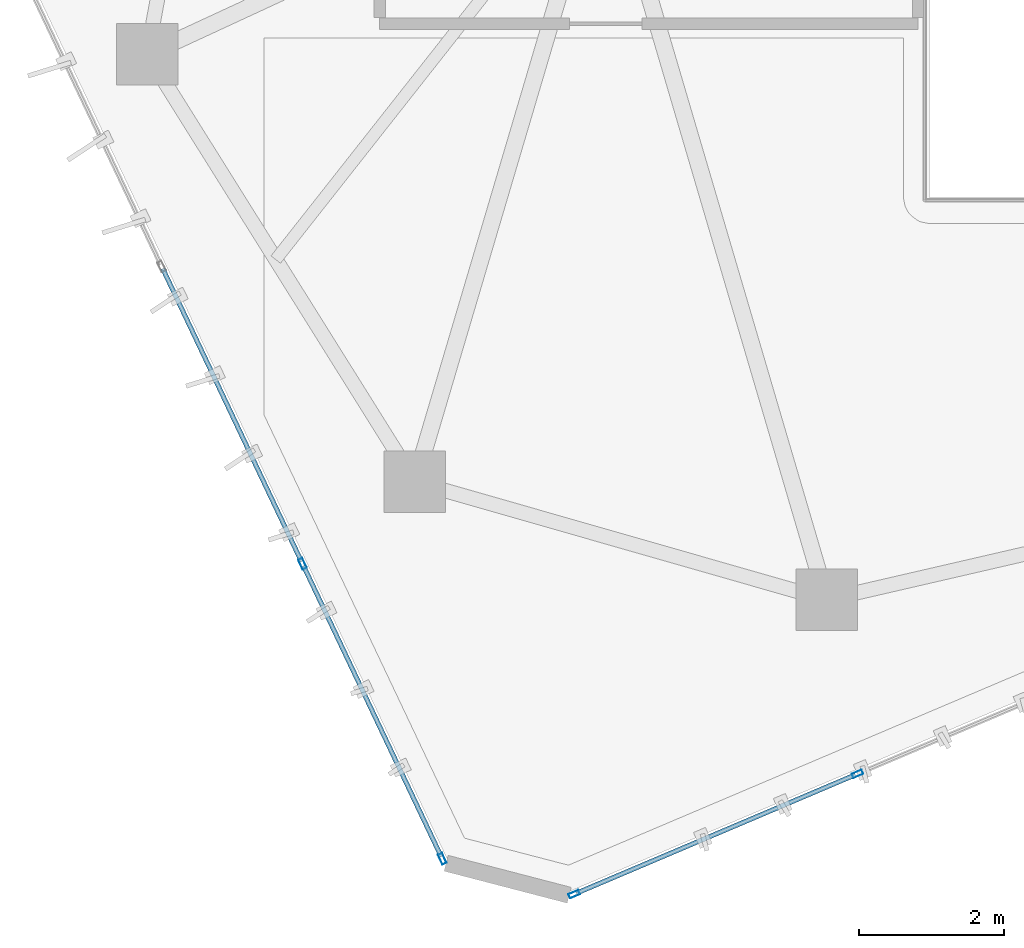
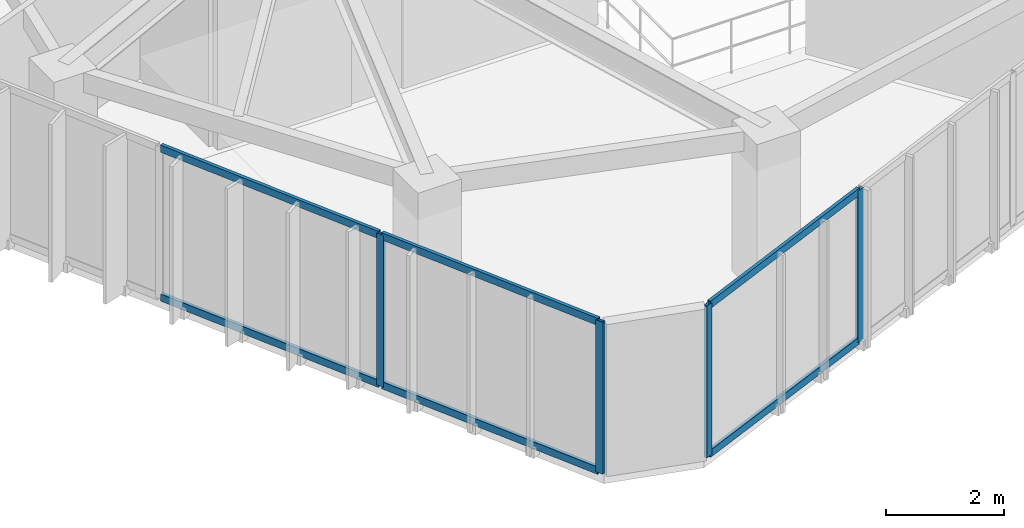
# One storey, part 2 of 20: 10 members, 2 elements without a shape of their own.
"""IFC4 building model written with IfcOpenShell, lengths in metres."""

from ifc_helpers import new_model, si_unit, direction, frame, origin, origin_2d, place, context, subcontext, project, spatial, hollow_rectangle, extrude, source, transform, mapped, material, layer, layer_set, material_profile, profile_set, type_object, type_shapes, element, aggregate, save


model = new_model("IFC4")

# Units and contexts
model_context = context("Model", 3, precision=1e-05, world=origin(), true_north=direction((0.0, 1.0)))
body_context = subcontext(model_context, "Body", "Model", "MODEL_VIEW")
ifc_project = project(units=[si_unit("LENGTHUNIT", "METRE"), si_unit("AREAUNIT", "SQUARE_METRE"), si_unit("VOLUMEUNIT", "CUBIC_METRE"), si_unit("PLANEANGLEUNIT", "RADIAN"), si_unit("MASSUNIT", "GRAM", prefix="KILO")], contexts=[model_context])

# Site, building, storey
site_placement = place(None, origin())
site = spatial("IfcSite", under=ifc_project, at=site_placement, CompositionType="ELEMENT")
building_placement = place(site_placement, origin())
building = spatial("IfcBuilding", under=site, at=building_placement, Name="Talar Marvaseh", CompositionType="ELEMENT")
storey_placement = place(building_placement, frame((0.0, 0.0, 274.800048828125)))
storey = spatial("IfcBuildingStorey", under=building, at=storey_placement, Name="L73", CompositionType="ELEMENT", Elevation=274.800048828125)

# Curtain wall, members
ifc_material = material(Name="Architectural Aluminium", Category="aluminium")
ifc_layer = layer(ifc_material, 0.179931640625)
ifc_layer_set = layer_set([ifc_layer], Name="Architectural Aluminium")
curtain_wall_type = type_object("IfcCurtainWallType", Name="Unitised High-Wind Sky Curtain Wall Z4", PredefinedType="NOTDEFINED", material=ifc_layer_set)
curtain_wall_1_placement = place(storey_placement, origin())
curtain_wall_1 = element("IfcCurtainWall", 1, at=curtain_wall_1_placement, inside=storey, type_object=curtain_wall_type, Name="L73 Unitised High-Wind Sky Curtain Wall Z4", PredefinedType="NOTDEFINED")
ifc_material_profile_1 = material_profile(ifc_material, hollow_rectangle(XDim=0.06494140625, YDim=0.14990234375, WallThickness=0.00390625, at=origin_2d()), Name="RHS150x65x4")
ifc_profile_set_1 = profile_set([ifc_material_profile_1], Name="Architectural Aluminium")
member_type_1 = type_object("IfcMemberType", Name="Unitised Curtain Wall Slim Mullion RHS150x65x4", PredefinedType="MULLION", material=ifc_profile_set_1)
shared_shape_1 = source(origin(), body_context, "Body", "SweptSolid", [
    extrude(hollow_rectangle(XDim=0.06494140625, YDim=0.14990234375, WallThickness=0.00390625, at=origin_2d()), origin(), (0.0, 0.0, 1.0), 3.139892578125),
])
type_shapes(member_type_1, [shared_shape_1])
member_1_placement = place(storey_placement, frame((16.465087890625, 11.45947265625, 0.0), z_axis=(0.0, 0.0, 1.0), x_axis=(-0.903735897478, -0.42809044326, 0.0)))
member_1 = element("IfcMember", 2, at=member_1_placement, type_object=member_type_1, Name="CW-Z4 mullion 1", PredefinedType="MULLION", context=body_context, shape_type="MappedRepresentation", body=[
    mapped(shared_shape_1, transform((0.0, 0.0, 0.0), x_axis=(1.0, 0.0, 0.0), y_axis=(0.0, 1.0, 0.0), z_axis=(0.0, 0.0, 1.0), scale=1.0)),
])
member_2_placement = place(storey_placement, frame((14.533447265625, 15.537353515625, 0.0), z_axis=(0.0, 0.0, 1.0), x_axis=(-0.903735897478, -0.42809044326, 0.0)))
member_2 = element("IfcMember", 3, at=member_2_placement, type_object=member_type_1, Name="CW-Z4 mullion 2", PredefinedType="MULLION", context=body_context, shape_type="MappedRepresentation", body=[
    mapped(shared_shape_1, transform((0.0, 0.0, 0.0), x_axis=(1.0, 0.0, 0.0), y_axis=(0.0, 1.0, 0.0), z_axis=(0.0, 0.0, 1.0), scale=1.0)),
])

curtain_wall_2_placement = place(storey_placement, origin())
curtain_wall_2 = element("IfcCurtainWall", 4, at=curtain_wall_2_placement, inside=storey, type_object=curtain_wall_type, Name="L73 Unitised High-Wind Sky Curtain Wall Z4", PredefinedType="NOTDEFINED")
member_3_placement = place(storey_placement, frame((22.203369140625, 12.633544921875, 0.0), z_axis=(0.0, 0.0, 1.0), x_axis=(0.39087261377, -0.920444783681, 0.0)))
member_3 = element("IfcMember", 5, at=member_3_placement, type_object=member_type_1, Name="CW-Z4 mullion 4", PredefinedType="MULLION", context=body_context, shape_type="MappedRepresentation", body=[
    mapped(shared_shape_1, transform((0.0, 0.0, 0.0), x_axis=(1.0, 0.0, 0.0), y_axis=(0.0, 1.0, 0.0), z_axis=(0.0, 0.0, 1.0), scale=1.0)),
])
member_4_placement = place(storey_placement, frame((18.2880859375, 10.970947265625, 0.0), z_axis=(0.0, 0.0, 1.0), x_axis=(0.39087261377, -0.920444783681, 0.0)))
member_4 = element("IfcMember", 6, at=member_4_placement, type_object=member_type_1, Name="CW-Z4 mullion 5", PredefinedType="MULLION", context=body_context, shape_type="MappedRepresentation", body=[
    mapped(shared_shape_1, transform((0.0, 0.0, 0.0), x_axis=(1.0, 0.0, 0.0), y_axis=(0.0, 1.0, 0.0), z_axis=(0.0, 0.0, 1.0), scale=1.0)),
])

# Member
ifc_material_profile_2 = material_profile(ifc_material, hollow_rectangle(XDim=0.06494140625, YDim=0.14990234375, WallThickness=0.00390625, at=origin_2d()), Name="RHS150x65x4")
ifc_profile_set_2 = profile_set([ifc_material_profile_2], Name="Architectural Aluminium")
member_type_2 = type_object("IfcMemberType", Name="Unitised Curtain Wall Slim Transom RHS150x65x4", PredefinedType="USERDEFINED", material=ifc_profile_set_2)
shared_shape_2 = source(origin(), body_context, "Body", "SweptSolid", [
    extrude(hollow_rectangle(XDim=0.06494140625, YDim=0.14990234375, WallThickness=0.00390625, at=origin_2d()), origin(), (0.0, 0.0, 1.0), 4.447265625),
])
member_5_placement = place(storey_placement, frame((16.451171875, 11.48876953125, 0.032470703125), z_axis=(-0.428074545912, 0.903743427718, 0.0), x_axis=(-0.903743427718, -0.428074545912, 0.0)))
member_5 = element("IfcMember", 7, at=member_5_placement, type_object=member_type_2, Name="CW-Z4 transom 1.1", ObjectType="TRANSOM", PredefinedType="USERDEFINED", context=body_context, shape_type="MappedRepresentation", body=[
    mapped(shared_shape_2, transform((0.0, 0.0, 0.0), x_axis=(1.0, 0.0, 0.0), y_axis=(0.0, 1.0, 0.0), z_axis=(0.0, 0.0, 1.0), scale=1.0)),
])

member_6_placement = place(storey_placement, frame((16.451171875, 11.48876953125, 3.107421875), z_axis=(-0.428074545912, 0.903743427718, 0.0), x_axis=(-0.903743427718, -0.428074545912, 0.0)))
member_6 = element("IfcMember", 8, at=member_6_placement, type_object=member_type_2, Name="CW-Z4 transom 1.2", ObjectType="TRANSOM", PredefinedType="USERDEFINED", context=body_context, shape_type="MappedRepresentation", body=[
    mapped(shared_shape_2, transform((0.0, 0.0, 0.0), x_axis=(1.0, 0.0, 0.0), y_axis=(0.0, 1.0, 0.0), z_axis=(0.0, 0.0, 1.0), scale=1.0)),
])

shared_shape_3 = source(origin(), body_context, "Body", "SweptSolid", [
    extrude(hollow_rectangle(XDim=0.06494140625, YDim=0.14990234375, WallThickness=0.00390625, at=origin_2d()), origin(), (0.0, 0.0, 1.0), 4.188720703125),
])
member_7_placement = place(storey_placement, frame((22.17333984375, 12.620849609375, 0.032470703125), z_axis=(-0.92044837407, -0.390864158847, 0.0), x_axis=(0.390864158847, -0.92044837407, 0.0)))
member_7 = element("IfcMember", 9, at=member_7_placement, type_object=member_type_2, Name="CW-Z4 transom 4.1", ObjectType="TRANSOM", PredefinedType="USERDEFINED", context=body_context, shape_type="MappedRepresentation", body=[
    mapped(shared_shape_3, transform((0.0, 0.0, 0.0), x_axis=(1.0, 0.0, 0.0), y_axis=(0.0, 1.0, 0.0), z_axis=(0.0, 0.0, 1.0), scale=1.0)),
])

member_8_placement = place(storey_placement, frame((22.17333984375, 12.620849609375, 3.107421875), z_axis=(-0.92044837407, -0.390864158847, 0.0), x_axis=(0.390864158847, -0.92044837407, 0.0)))
member_8 = element("IfcMember", 10, at=member_8_placement, type_object=member_type_2, Name="CW-Z4 transom 4.2", ObjectType="TRANSOM", PredefinedType="USERDEFINED", context=body_context, shape_type="MappedRepresentation", body=[
    mapped(shared_shape_3, transform((0.0, 0.0, 0.0), x_axis=(1.0, 0.0, 0.0), y_axis=(0.0, 1.0, 0.0), z_axis=(0.0, 0.0, 1.0), scale=1.0)),
])

aggregate(curtain_wall_2, [member_3, member_4, member_7, member_8])

shared_shape_4 = source(origin(), body_context, "Body", "SweptSolid", [
    extrude(hollow_rectangle(XDim=0.06494140625, YDim=0.14990234375, WallThickness=0.00390625, at=origin_2d()), origin(), (0.0, 0.0, 1.0), 4.480224609375),
])
type_shapes(member_type_2, [shared_shape_2, shared_shape_3, shared_shape_4])
member_9_placement = place(storey_placement, frame((14.51953125, 15.566650390625, 0.032470703125), z_axis=(-0.428105084675, 0.903728961844, 0.0), x_axis=(-0.903728961844, -0.428105084675, 0.0)))
member_9 = element("IfcMember", 11, at=member_9_placement, type_object=member_type_2, Name="CW-Z4 transom 2.1", ObjectType="TRANSOM", PredefinedType="USERDEFINED", context=body_context, shape_type="MappedRepresentation", body=[
    mapped(shared_shape_4, transform((0.0, 0.0, 0.0), x_axis=(1.0, 0.0, 0.0), y_axis=(0.0, 1.0, 0.0), z_axis=(0.0, 0.0, 1.0), scale=1.0)),
])

member_10_placement = place(storey_placement, frame((14.51953125, 15.566650390625, 3.107421875), z_axis=(-0.428105084675, 0.903728961844, 0.0), x_axis=(-0.903728961844, -0.428105084675, 0.0)))
member_10 = element("IfcMember", 12, at=member_10_placement, type_object=member_type_2, Name="CW-Z4 transom 2.2", ObjectType="TRANSOM", PredefinedType="USERDEFINED", context=body_context, shape_type="MappedRepresentation", body=[
    mapped(shared_shape_4, transform((0.0, 0.0, 0.0), x_axis=(1.0, 0.0, 0.0), y_axis=(0.0, 1.0, 0.0), z_axis=(0.0, 0.0, 1.0), scale=1.0)),
])

aggregate(curtain_wall_1, [member_1, member_2, member_5, member_6, member_9, member_10])

save(model, "model.ifc")
